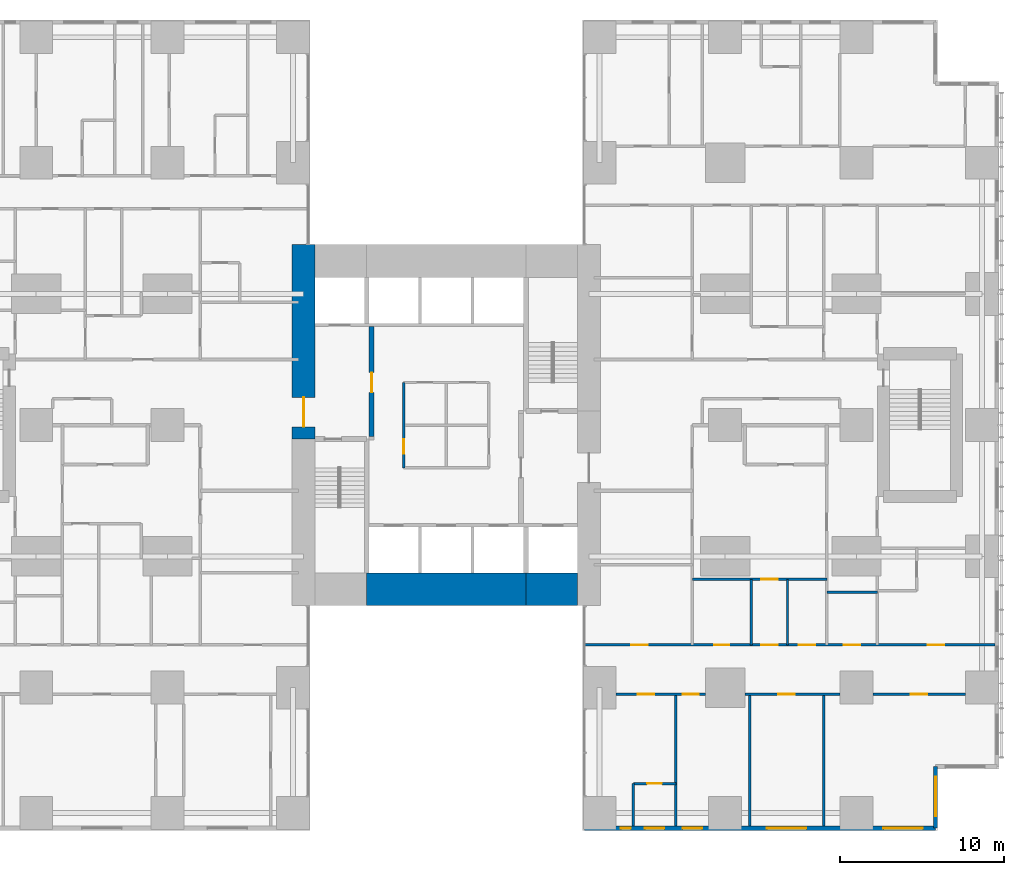
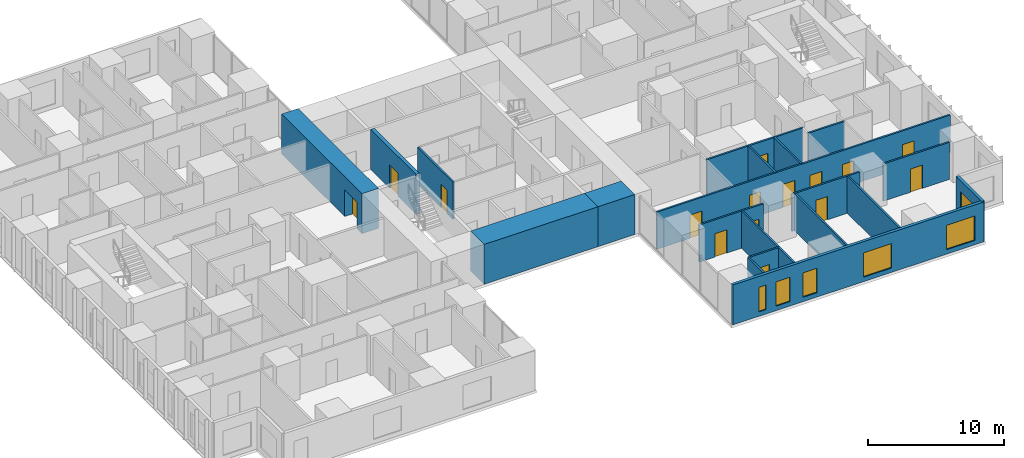
# One storey, part 14 of 20: 20 walls, 15 doors, 6 windows, 21 openings.
"""IFC4 building model written with IfcOpenShell, lengths in metres."""

from ifc_helpers import new_model, si_unit, direction, frame, frame_2d, origin, place, context, subcontext, project, spatial, rectangle, extrude, material, layer, layer_set, type_object, element, fill, save


model = new_model("IFC4")

# Units and contexts
model_context = context("Model", 3, precision=1e-05, world=origin(), true_north=direction((0.0, 1.0)))
body_context = subcontext(model_context, "Body", "Model", "MODEL_VIEW")
ifc_project = project(units=[si_unit("LENGTHUNIT", "METRE"), si_unit("AREAUNIT", "SQUARE_METRE"), si_unit("VOLUMEUNIT", "CUBIC_METRE"), si_unit("PLANEANGLEUNIT", "RADIAN"), si_unit("MASSUNIT", "GRAM", prefix="KILO")], contexts=[model_context])

# Site, building, storey
site_placement = place(None, origin())
site = spatial("IfcSite", under=ifc_project, at=site_placement, CompositionType="ELEMENT")
building_placement = place(site_placement, origin())
building = spatial("IfcBuilding", under=site, at=building_placement, Name="Cleftline Residences", CompositionType="ELEMENT")
storey_placement = place(building_placement, frame((0.0, 0.0, 110.60009765625)))
storey = spatial("IfcBuildingStorey", under=building, at=storey_placement, Name="L28", CompositionType="ELEMENT", Elevation=110.60009765625)

# Wall, opening, door
ifc_material_1 = material(Name="Concrete B70", Category="concrete")
ifc_layer_1 = layer(ifc_material_1, 1.39990234375)
ifc_layer_set_1 = layer_set([ifc_layer_1], Name="CORE WALL 1400")
wall_type_1 = type_object("IfcWallType", Name="CORE WALL 1400", PredefinedType="SHEAR", material=ifc_layer_set_1)
wall_1_placement = place(storey_placement, frame((24.300048828125, 23.14990234375, 0.0), z_axis=(0.0, 0.0, 1.0), x_axis=(0.0, 1.0, 0.0)))
wall_1 = element("IfcWall", 1, at=wall_1_placement, inside=storey, type_object=wall_type_1, Name="Core wall W", PredefinedType="SHEAR", context=body_context, shape_type="SweptSolid", body=[
    extrude(rectangle(XDim=11.85009765625, YDim=1.39990234375, at=frame_2d((5.925048828125, 0.0))), origin(), (0.0, 0.0, 1.0), 3.599853515625),
])
opening_1_placement = place(wall_1_placement, frame((0.75, 0.0, 0.0)))
opening_1 = element("IfcOpeningElement", 2, at=opening_1_placement, cuts=wall_1, Name="Opening D7", PredefinedType="OPENING", context=body_context, shape_type="SweptSolid", body=[
    extrude(rectangle(XDim=1.800048828125, YDim=2.39990234375, at=frame_2d((0.89990234375, 1.199951171875))), frame((0.0, 0.7099609375, 0.0), z_axis=(0.0, -1.0, 0.0), x_axis=(1.0, 0.0, 0.0)), (0.0, 0.0, 1.0), 1.419921875),
])
ifc_material_2 = material(Name="Steel", Category="steel")
door_type_1 = type_object("IfcDoorType", Name="WING DOOR 1800X2400", OperationType="DOUBLE_DOOR_DOUBLE_SWING", PredefinedType="DOOR", material=ifc_material_2)
door_1_placement = place(opening_1_placement, origin())
door_1 = element("IfcDoor", 3, at=door_1_placement, inside=storey, type_object=door_type_1, Name="West wing door", OperationType="DOUBLE_DOOR_DOUBLE_SWING", OverallHeight=2.39990234375, OverallWidth=1.800048828125, PredefinedType="DOOR", context=body_context, shape_type="SweptSolid", body=[
    extrude(rectangle(XDim=1.800048828125, YDim=2.39990234375, at=frame_2d((0.89990234375, 1.199951171875))), frame((0.0, 0.02490234375, 0.0), z_axis=(0.0, -1.0, 0.0), x_axis=(1.0, 0.0, 0.0)), (0.0, 0.0, 1.0), 0.050048828125),
])
fill(opening_1, door_1)

# Walls
ifc_material_3 = material(Name="Concrete B70", Category="concrete")
ifc_layer_2 = layer(ifc_material_3, 2.0)
ifc_layer_set_2 = layer_set([ifc_layer_2], Name="CORE WALL 2000")
wall_type_2 = type_object("IfcWallType", Name="CORE WALL 2000", PredefinedType="SHEAR", material=ifc_layer_set_2)
wall_2_placement = place(storey_placement, frame((28.14990234375, 14.0, 0.0), z_axis=(0.0, 0.0, 1.0), x_axis=(1.0, 0.0, 0.0)))
element("IfcWall", 4, at=wall_2_placement, inside=storey, type_object=wall_type_2, Name="Core wall S2", PredefinedType="SHEAR", context=body_context, shape_type="SweptSolid", body=[
    extrude(rectangle(XDim=9.7001953125, YDim=2.0, at=frame_2d((4.85009765625, 0.0))), origin(), (0.0, 0.0, 1.0), 3.599853515625),
])
wall_3_placement = place(storey_placement, frame((37.85009765625, 14.0, 0.0), z_axis=(0.0, 0.0, 1.0), x_axis=(1.0, 0.0, 0.0)))
element("IfcWall", 5, at=wall_3_placement, inside=storey, type_object=wall_type_2, Name="Core wall S3", PredefinedType="SHEAR", context=body_context, shape_type="SweptSolid", body=[
    extrude(rectangle(XDim=3.14990234375, YDim=2.0, at=frame_2d((1.574951171875, 0.0))), origin(), (0.0, 0.0, 1.0), 3.599853515625),
])

# Wall, openings, windows
ifc_material_4 = material(Name="Rendered reinforced concrete blockwork", Category="masonry")
ifc_layer_3 = layer(ifc_material_4, 0.25)
ifc_layer_set_3 = layer_set([ifc_layer_3], Name="EXTERNAL WALL 250")
wall_type_3 = type_object("IfcWallType", Name="EXTERNAL WALL 250", PredefinedType="SOLIDWALL", material=ifc_layer_set_3)
wall_4_placement = place(storey_placement, frame((41.425048828125, -0.574951171875, 0.0), z_axis=(0.0, 0.0, 1.0), x_axis=(1.0, 0.0, 0.0)))
wall_4 = element("IfcWall", 6, at=wall_4_placement, inside=storey, type_object=wall_type_3, Name="External wall", PredefinedType="SOLIDWALL", context=body_context, shape_type="SweptSolid", body=[
    extrude(rectangle(XDim=21.39990234375, YDim=0.25, at=frame_2d((10.699951171875, 0.0))), origin(), (0.0, 0.0, 1.0), 3.599853515625),
])
opening_2_placement = place(wall_4_placement, frame((2.22509765625, 0.0, 0.39990234375)))
opening_2 = element("IfcOpeningElement", 7, at=opening_2_placement, cuts=wall_4, Name="Opening W10", PredefinedType="OPENING", context=body_context, shape_type="SweptSolid", body=[
    extrude(rectangle(XDim=0.60009765625, YDim=2.199951171875, at=frame_2d((0.300048828125, 1.10009765625))), frame((0.0, 0.135009765625, 0.0), z_axis=(0.0, -1.0, 0.0), x_axis=(1.0, 0.0, 0.0)), (0.0, 0.0, 1.0), 0.27001953125),
])
opening_3_placement = place(wall_4_placement, frame((3.675048828125, 0.0, 0.39990234375)))
opening_3 = element("IfcOpeningElement", 8, at=opening_3_placement, cuts=wall_4, Name="Opening W11", PredefinedType="OPENING", context=body_context, shape_type="SweptSolid", body=[
    extrude(rectangle(XDim=1.199951171875, YDim=2.199951171875, at=frame_2d((0.60009765625, 1.10009765625))), frame((0.0, 0.135009765625, 0.0), z_axis=(0.0, -1.0, 0.0), x_axis=(1.0, 0.0, 0.0)), (0.0, 0.0, 1.0), 0.27001953125),
])
opening_4_placement = place(wall_4_placement, frame((5.97509765625, 0.0, 0.39990234375)))
opening_4 = element("IfcOpeningElement", 9, at=opening_4_placement, cuts=wall_4, Name="Opening W11", PredefinedType="OPENING", context=body_context, shape_type="SweptSolid", body=[
    extrude(rectangle(XDim=1.199951171875, YDim=2.199951171875, at=frame_2d((0.60009765625, 1.10009765625))), frame((0.0, 0.135009765625, 0.0), z_axis=(0.0, -1.0, 0.0), x_axis=(1.0, 0.0, 0.0)), (0.0, 0.0, 1.0), 0.27001953125),
])
opening_5_placement = place(wall_4_placement, frame((11.125, 0.0, 0.39990234375)))
opening_5 = element("IfcOpeningElement", 10, at=opening_5_placement, cuts=wall_4, Name="Opening W12", PredefinedType="OPENING", context=body_context, shape_type="SweptSolid", body=[
    extrude(rectangle(XDim=2.39990234375, YDim=2.199951171875, at=frame_2d((1.199951171875, 1.10009765625))), frame((0.0, 0.135009765625, 0.0), z_axis=(0.0, -1.0, 0.0), x_axis=(1.0, 0.0, 0.0)), (0.0, 0.0, 1.0), 0.27001953125),
])
opening_6_placement = place(wall_4_placement, frame((18.22509765625, 0.0, 0.39990234375)))
opening_6 = element("IfcOpeningElement", 11, at=opening_6_placement, cuts=wall_4, Name="Opening W12", PredefinedType="OPENING", context=body_context, shape_type="SweptSolid", body=[
    extrude(rectangle(XDim=2.39990234375, YDim=2.199951171875, at=frame_2d((1.199951171875, 1.10009765625))), frame((0.0, 0.135009765625, 0.0), z_axis=(0.0, -1.0, 0.0), x_axis=(1.0, 0.0, 0.0)), (0.0, 0.0, 1.0), 0.27001953125),
])
ifc_material_5 = material(Name="Aluminium frame, clear double glazing", Category="aluminium")
window_type_1 = type_object("IfcWindowType", Name="WINDOW 1200X2200", PartitioningType="DOUBLE_PANEL_VERTICAL", PredefinedType="WINDOW", material=ifc_material_5)
window_1_placement = place(opening_3_placement, origin())
window_1 = element("IfcWindow", 12, at=window_1_placement, inside=storey, type_object=window_type_1, Name="Window", OverallHeight=2.199951171875, OverallWidth=1.199951171875, PartitioningType="SINGLE_PANEL", PredefinedType="WINDOW", context=body_context, shape_type="SweptSolid", body=[
    extrude(rectangle(XDim=1.199951171875, YDim=2.199951171875, at=frame_2d((0.60009765625, 1.10009765625))), frame((0.0, 0.030029296875, 0.0), z_axis=(0.0, -1.0, 0.0), x_axis=(1.0, 0.0, 0.0)), (0.0, 0.0, 1.0), 0.06005859375),
])
fill(opening_3, window_1)
window_2_placement = place(opening_4_placement, origin())
window_2 = element("IfcWindow", 13, at=window_2_placement, inside=storey, type_object=window_type_1, Name="Window", OverallHeight=2.199951171875, OverallWidth=1.199951171875, PartitioningType="SINGLE_PANEL", PredefinedType="WINDOW", context=body_context, shape_type="SweptSolid", body=[
    extrude(rectangle(XDim=1.199951171875, YDim=2.199951171875, at=frame_2d((0.60009765625, 1.10009765625))), frame((0.0, 0.030029296875, 0.0), z_axis=(0.0, -1.0, 0.0), x_axis=(1.0, 0.0, 0.0)), (0.0, 0.0, 1.0), 0.06005859375),
])
fill(opening_4, window_2)
ifc_material_6 = material(Name="Aluminium frame, clear double glazing", Category="aluminium")
window_type_2 = type_object("IfcWindowType", Name="WINDOW 2400X2200", PartitioningType="DOUBLE_PANEL_VERTICAL", PredefinedType="WINDOW", material=ifc_material_6)
window_3_placement = place(opening_5_placement, origin())
window_3 = element("IfcWindow", 14, at=window_3_placement, inside=storey, type_object=window_type_2, Name="Window", OverallHeight=2.199951171875, OverallWidth=2.39990234375, PartitioningType="SINGLE_PANEL", PredefinedType="WINDOW", context=body_context, shape_type="SweptSolid", body=[
    extrude(rectangle(XDim=2.39990234375, YDim=2.199951171875, at=frame_2d((1.199951171875, 1.10009765625))), frame((0.0, 0.030029296875, 0.0), z_axis=(0.0, -1.0, 0.0), x_axis=(1.0, 0.0, 0.0)), (0.0, 0.0, 1.0), 0.06005859375),
])
fill(opening_5, window_3)
window_4_placement = place(opening_6_placement, origin())
window_4 = element("IfcWindow", 15, at=window_4_placement, inside=storey, type_object=window_type_2, Name="Window", OverallHeight=2.199951171875, OverallWidth=2.39990234375, PartitioningType="SINGLE_PANEL", PredefinedType="WINDOW", context=body_context, shape_type="SweptSolid", body=[
    extrude(rectangle(XDim=2.39990234375, YDim=2.199951171875, at=frame_2d((1.199951171875, 1.10009765625))), frame((0.0, 0.030029296875, 0.0), z_axis=(0.0, -1.0, 0.0), x_axis=(1.0, 0.0, 0.0)), (0.0, 0.0, 1.0), 0.06005859375),
])
fill(opening_6, window_4)
ifc_material_7 = material(Name="Aluminium frame, clear double glazing", Category="aluminium")
window_type_3 = type_object("IfcWindowType", Name="WINDOW 600X2200", PartitioningType="DOUBLE_PANEL_VERTICAL", PredefinedType="WINDOW", material=ifc_material_7)
window_5_placement = place(opening_2_placement, origin())
window_5 = element("IfcWindow", 16, at=window_5_placement, inside=storey, type_object=window_type_3, Name="Window", OverallHeight=2.199951171875, OverallWidth=0.60009765625, PartitioningType="SINGLE_PANEL", PredefinedType="WINDOW", context=body_context, shape_type="SweptSolid", body=[
    extrude(rectangle(XDim=0.60009765625, YDim=2.199951171875, at=frame_2d((0.300048828125, 1.10009765625))), frame((0.0, 0.030029296875, 0.0), z_axis=(0.0, -1.0, 0.0), x_axis=(1.0, 0.0, 0.0)), (0.0, 0.0, 1.0), 0.06005859375),
])
fill(opening_2, window_5)

# Wall, opening, window
wall_5_placement = place(storey_placement, frame((62.824951171875, -0.574951171875, 0.0), z_axis=(0.0, 0.0, 1.0), x_axis=(0.0, 1.0, 0.0)))
wall_5 = element("IfcWall", 17, at=wall_5_placement, inside=storey, type_object=wall_type_3, Name="External wall", PredefinedType="SOLIDWALL", context=body_context, shape_type="SweptSolid", body=[
    extrude(rectangle(XDim=3.75, YDim=0.25, at=frame_2d((1.875, 0.0))), origin(), (0.0, 0.0, 1.0), 3.599853515625),
])
opening_7_placement = place(wall_5_placement, frame((0.737548828125, 0.0, 0.39990234375)))
opening_7 = element("IfcOpeningElement", 18, at=opening_7_placement, cuts=wall_5, Name="Opening W12", PredefinedType="OPENING", context=body_context, shape_type="SweptSolid", body=[
    extrude(rectangle(XDim=2.39990234375, YDim=2.199951171875, at=frame_2d((1.199951171875, 1.10009765625))), frame((0.0, 0.135009765625, 0.0), z_axis=(0.0, -1.0, 0.0), x_axis=(1.0, 0.0, 0.0)), (0.0, 0.0, 1.0), 0.27001953125),
])
window_6_placement = place(opening_7_placement, origin())
window_6 = element("IfcWindow", 19, at=window_6_placement, inside=storey, type_object=window_type_2, Name="Window", OverallHeight=2.199951171875, OverallWidth=2.39990234375, PartitioningType="SINGLE_PANEL", PredefinedType="WINDOW", context=body_context, shape_type="SweptSolid", body=[
    extrude(rectangle(XDim=2.39990234375, YDim=2.199951171875, at=frame_2d((1.199951171875, 1.10009765625))), frame((0.0, 0.030029296875, 0.0), z_axis=(0.0, -1.0, 0.0), x_axis=(1.0, 0.0, 0.0)), (0.0, 0.0, 1.0), 0.06005859375),
])
fill(opening_7, window_6)

# Wall, opening, door
ifc_material_8 = material(Name="Gypsum board on steel studs", Category="steel")
ifc_layer_4 = layer(ifc_material_8, 0.14990234375)
ifc_layer_set_4 = layer_set([ifc_layer_4], Name="PARTITION 150")
wall_type_4 = type_object("IfcWallType", Name="PARTITION 150", PredefinedType="PARTITIONING", material=ifc_layer_set_4)
wall_6_placement = place(storey_placement, frame((44.39990234375, 2.14990234375, 0.0), z_axis=(0.0, 0.0, 1.0), x_axis=(1.0, 0.0, 0.0)))
wall_6 = element("IfcWall", 20, at=wall_6_placement, inside=storey, type_object=wall_type_4, Name="Partition", PredefinedType="PARTITIONING", context=body_context, shape_type="SweptSolid", body=[
    extrude(rectangle(XDim=2.60009765625, YDim=0.14990234375, at=frame_2d((1.300048828125, 0.0))), origin(), (0.0, 0.0, 1.0), 3.349853515625),
])
opening_8_placement = place(wall_6_placement, frame((0.85009765625, 0.0, 0.0)))
opening_8 = element("IfcOpeningElement", 21, at=opening_8_placement, cuts=wall_6, Name="Opening D1", PredefinedType="OPENING", context=body_context, shape_type="SweptSolid", body=[
    extrude(rectangle(XDim=0.89990234375, YDim=2.10009765625, at=frame_2d((0.449951171875, 1.050048828125))), frame((0.0, 0.0849609375, 0.0), z_axis=(0.0, -1.0, 0.0), x_axis=(1.0, 0.0, 0.0)), (0.0, 0.0, 1.0), 0.169921875),
])
ifc_material_9 = material(Name="Timber veneer on solid core", Category="wood")
door_type_2 = type_object("IfcDoorType", Name="DOOR 900X2100", OperationType="SINGLE_SWING_LEFT", PredefinedType="DOOR", material=ifc_material_9)
door_2_placement = place(opening_8_placement, origin())
door_2 = element("IfcDoor", 22, at=door_2_placement, inside=storey, type_object=door_type_2, Name="Door to en-suite bathroom 3", OperationType="SINGLE_SWING_LEFT", OverallHeight=2.10009765625, OverallWidth=0.89990234375, PredefinedType="DOOR", context=body_context, shape_type="SweptSolid", body=[
    extrude(rectangle(XDim=0.89990234375, YDim=2.10009765625, at=frame_2d((0.449951171875, 1.050048828125))), frame((0.0, 0.02490234375, 0.0), z_axis=(0.0, -1.0, 0.0), x_axis=(1.0, 0.0, 0.0)), (0.0, 0.0, 1.0), 0.050048828125),
])
fill(opening_8, door_2)

# Wall, openings, doors
wall_7_placement = place(storey_placement, frame((43.35009765625, 7.60009765625, 0.0), z_axis=(0.0, 0.0, 1.0), x_axis=(1.0, 0.0, 0.0)))
wall_7 = element("IfcWall", 23, at=wall_7_placement, inside=storey, type_object=wall_type_4, Name="Partition", PredefinedType="PARTITIONING", context=body_context, shape_type="SweptSolid", body=[
    extrude(rectangle(XDim=5.449951171875, YDim=0.14990234375, at=frame_2d((2.72509765625, 0.0))), origin(), (0.0, 0.0, 1.0), 3.349853515625),
])
opening_9_placement = place(wall_7_placement, frame((4.050048828125, 0.0, 0.0)))
opening_9 = element("IfcOpeningElement", 24, at=opening_9_placement, cuts=wall_7, Name="Opening D2", PredefinedType="OPENING", context=body_context, shape_type="SweptSolid", body=[
    extrude(rectangle(XDim=1.0, YDim=2.10009765625, at=frame_2d((0.5, 1.050048828125))), frame((0.0, 0.0849609375, 0.0), z_axis=(0.0, -1.0, 0.0), x_axis=(1.0, 0.0, 0.0)), (0.0, 0.0, 1.0), 0.169921875),
])
opening_10_placement = place(wall_7_placement, frame((1.324951171875, 0.0, 0.0)))
opening_10 = element("IfcOpeningElement", 25, at=opening_10_placement, cuts=wall_7, Name="Opening D2", PredefinedType="OPENING", context=body_context, shape_type="SweptSolid", body=[
    extrude(rectangle(XDim=1.0, YDim=2.10009765625, at=frame_2d((0.5, 1.050048828125))), frame((0.0, 0.0849609375, 0.0), z_axis=(0.0, -1.0, 0.0), x_axis=(1.0, 0.0, 0.0)), (0.0, 0.0, 1.0), 0.169921875),
])
ifc_material_10 = material(Name="Timber veneer on solid core", Category="wood")
door_type_3 = type_object("IfcDoorType", Name="DOOR 1000X2100", OperationType="SINGLE_SWING_LEFT", PredefinedType="DOOR", material=ifc_material_10)
door_3_placement = place(opening_9_placement, origin())
door_3 = element("IfcDoor", 26, at=door_3_placement, inside=storey, type_object=door_type_3, Name="Door to show kitchen", OperationType="SINGLE_SWING_LEFT", OverallHeight=2.10009765625, OverallWidth=1.0, PredefinedType="DOOR", context=body_context, shape_type="SweptSolid", body=[
    extrude(rectangle(XDim=1.0, YDim=2.10009765625, at=frame_2d((0.5, 1.050048828125))), frame((0.0, 0.02490234375, 0.0), z_axis=(0.0, -1.0, 0.0), x_axis=(1.0, 0.0, 0.0)), (0.0, 0.0, 1.0), 0.050048828125),
])
fill(opening_9, door_3)
door_4_placement = place(opening_10_placement, origin())
door_4 = element("IfcDoor", 27, at=door_4_placement, inside=storey, type_object=door_type_3, Name="Door to bedroom 3", OperationType="SINGLE_SWING_RIGHT", OverallHeight=2.10009765625, OverallWidth=1.0, PredefinedType="DOOR", context=body_context, shape_type="SweptSolid", body=[
    extrude(rectangle(XDim=1.0, YDim=2.10009765625, at=frame_2d((0.5, 1.050048828125))), frame((0.0, 0.02490234375, 0.0), z_axis=(0.0, -1.0, 0.0), x_axis=(1.0, 0.0, 0.0)), (0.0, 0.0, 1.0), 0.050048828125),
])
fill(opening_10, door_4)

# Wall, opening, door
wall_8_placement = place(storey_placement, frame((51.199951171875, 7.60009765625, 0.0), z_axis=(0.0, 0.0, 1.0), x_axis=(1.0, 0.0, 0.0)))
wall_8 = element("IfcWall", 28, at=wall_8_placement, inside=storey, type_object=wall_type_4, Name="Partition", PredefinedType="PARTITIONING", context=body_context, shape_type="SweptSolid", body=[
    extrude(rectangle(XDim=5.800048828125, YDim=0.14990234375, at=frame_2d((2.89990234375, 0.0))), origin(), (0.0, 0.0, 1.0), 3.349853515625),
])
opening_11_placement = place(wall_8_placement, frame((2.050048828125, 0.0, 0.0)))
opening_11 = element("IfcOpeningElement", 29, at=opening_11_placement, cuts=wall_8, Name="Opening D2", PredefinedType="OPENING", context=body_context, shape_type="SweptSolid", body=[
    extrude(rectangle(XDim=1.0, YDim=2.10009765625, at=frame_2d((0.5, 1.050048828125))), frame((0.0, 0.0849609375, 0.0), z_axis=(0.0, -1.0, 0.0), x_axis=(1.0, 0.0, 0.0)), (0.0, 0.0, 1.0), 0.169921875),
])
door_5_placement = place(opening_11_placement, origin())
door_5 = element("IfcDoor", 30, at=door_5_placement, inside=storey, type_object=door_type_3, Name="Door to dining room", OperationType="SINGLE_SWING_RIGHT", OverallHeight=2.10009765625, OverallWidth=1.0, PredefinedType="DOOR", context=body_context, shape_type="SweptSolid", body=[
    extrude(rectangle(XDim=1.0, YDim=2.10009765625, at=frame_2d((0.5, 1.050048828125))), frame((0.0, 0.02490234375, 0.0), z_axis=(0.0, -1.0, 0.0), x_axis=(1.0, 0.0, 0.0)), (0.0, 0.0, 1.0), 0.050048828125),
])
fill(opening_11, door_5)

wall_9_placement = place(storey_placement, frame((59.0, 7.60009765625, 0.0), z_axis=(0.0, 0.0, 1.0), x_axis=(1.0, 0.0, 0.0)))
wall_9 = element("IfcWall", 31, at=wall_9_placement, inside=storey, type_object=wall_type_4, Name="Partition", PredefinedType="PARTITIONING", context=body_context, shape_type="SweptSolid", body=[
    extrude(rectangle(XDim=5.64990234375, YDim=0.14990234375, at=frame_2d((2.824951171875, 0.0))), origin(), (0.0, 0.0, 1.0), 3.349853515625),
])
opening_12_placement = place(wall_9_placement, frame((2.324951171875, 0.0, 0.0)))
opening_12 = element("IfcOpeningElement", 32, at=opening_12_placement, cuts=wall_9, Name="Opening D2", PredefinedType="OPENING", context=body_context, shape_type="SweptSolid", body=[
    extrude(rectangle(XDim=1.0, YDim=2.10009765625, at=frame_2d((0.5, 1.050048828125))), frame((0.0, 0.0849609375, 0.0), z_axis=(0.0, -1.0, 0.0), x_axis=(1.0, 0.0, 0.0)), (0.0, 0.0, 1.0), 0.169921875),
])
door_6_placement = place(opening_12_placement, origin())
door_6 = element("IfcDoor", 33, at=door_6_placement, inside=storey, type_object=door_type_3, Name="Door to sea-view lounge", OperationType="SINGLE_SWING_LEFT", OverallHeight=2.10009765625, OverallWidth=1.0, PredefinedType="DOOR", context=body_context, shape_type="SweptSolid", body=[
    extrude(rectangle(XDim=1.0, YDim=2.10009765625, at=frame_2d((0.5, 1.050048828125))), frame((0.0, 0.02490234375, 0.0), z_axis=(0.0, -1.0, 0.0), x_axis=(1.0, 0.0, 0.0)), (0.0, 0.0, 1.0), 0.050048828125),
])
fill(opening_12, door_6)

# Wall, openings, doors
wall_10_placement = place(storey_placement, frame((41.43896484375, 10.60009765625, 0.0), z_axis=(0.0, 0.0, 1.0), x_axis=(1.0, 0.0, 0.0)))
wall_10 = element("IfcWall", 34, at=wall_10_placement, inside=storey, type_object=wall_type_4, Name="Partition", PredefinedType="PARTITIONING", context=body_context, shape_type="SweptSolid", body=[
    extrude(rectangle(XDim=25.010986328125, YDim=0.14990234375, at=frame_2d((12.50537109375, 0.0))), origin(), (0.0, 0.0, 1.0), 3.349853515625),
])
opening_13_placement = place(wall_10_placement, frame((10.760986328125, 0.0, 0.0)))
opening_13 = element("IfcOpeningElement", 35, at=opening_13_placement, cuts=wall_10, Name="Opening D2", PredefinedType="OPENING", context=body_context, shape_type="SweptSolid", body=[
    extrude(rectangle(XDim=1.0, YDim=2.10009765625, at=frame_2d((0.5, 1.050048828125))), frame((0.0, 0.0849609375, 0.0), z_axis=(0.0, -1.0, 0.0), x_axis=(1.0, 0.0, 0.0)), (0.0, 0.0, 1.0), 0.169921875),
])
opening_14_placement = place(wall_10_placement, frame((20.923583984375, 0.0, 0.0)))
opening_14 = element("IfcOpeningElement", 36, at=opening_14_placement, cuts=wall_10, Name="Opening D2", PredefinedType="OPENING", context=body_context, shape_type="SweptSolid", body=[
    extrude(rectangle(XDim=1.0, YDim=2.10009765625, at=frame_2d((0.5, 1.050048828125))), frame((0.0, 0.0849609375, 0.0), z_axis=(0.0, -1.0, 0.0), x_axis=(1.0, 0.0, 0.0)), (0.0, 0.0, 1.0), 0.169921875),
])
opening_15_placement = place(wall_10_placement, frame((15.798583984375, 0.0, 0.0)))
opening_15 = element("IfcOpeningElement", 37, at=opening_15_placement, cuts=wall_10, Name="Opening D2", PredefinedType="OPENING", context=body_context, shape_type="SweptSolid", body=[
    extrude(rectangle(XDim=1.0, YDim=2.10009765625, at=frame_2d((0.5, 1.050048828125))), frame((0.0, 0.0849609375, 0.0), z_axis=(0.0, -1.0, 0.0), x_axis=(1.0, 0.0, 0.0)), (0.0, 0.0, 1.0), 0.169921875),
])
opening_16_placement = place(wall_10_placement, frame((13.06103515625, 0.0, 0.0)))
opening_16 = element("IfcOpeningElement", 38, at=opening_16_placement, cuts=wall_10, Name="Opening D2", PredefinedType="OPENING", context=body_context, shape_type="SweptSolid", body=[
    extrude(rectangle(XDim=1.0, YDim=2.10009765625, at=frame_2d((0.5, 1.050048828125))), frame((0.0, 0.0849609375, 0.0), z_axis=(0.0, -1.0, 0.0), x_axis=(1.0, 0.0, 0.0)), (0.0, 0.0, 1.0), 0.169921875),
])
opening_17_placement = place(wall_10_placement, frame((7.910888671875, 0.0, 0.0)))
opening_17 = element("IfcOpeningElement", 39, at=opening_17_placement, cuts=wall_10, Name="Opening D1", PredefinedType="OPENING", context=body_context, shape_type="SweptSolid", body=[
    extrude(rectangle(XDim=0.89990234375, YDim=2.10009765625, at=frame_2d((0.449951171875, 1.050048828125))), frame((0.0, 0.0849609375, 0.0), z_axis=(0.0, -1.0, 0.0), x_axis=(1.0, 0.0, 0.0)), (0.0, 0.0, 1.0), 0.169921875),
])
opening_18_placement = place(wall_10_placement, frame((2.8359375, 0.0, 0.0)))
opening_18 = element("IfcOpeningElement", 40, at=opening_18_placement, cuts=wall_10, Name="Opening D2", PredefinedType="OPENING", context=body_context, shape_type="SweptSolid", body=[
    extrude(rectangle(XDim=1.0, YDim=2.10009765625, at=frame_2d((0.5, 1.050048828125))), frame((0.0, 0.0849609375, 0.0), z_axis=(0.0, -1.0, 0.0), x_axis=(1.0, 0.0, 0.0)), (0.0, 0.0, 1.0), 0.169921875),
])
door_7_placement = place(opening_13_placement, origin())
door_7 = element("IfcDoor", 41, at=door_7_placement, inside=storey, type_object=door_type_3, Name="Door to residence hall", OperationType="SINGLE_SWING_RIGHT", OverallHeight=2.10009765625, OverallWidth=1.0, PredefinedType="DOOR", context=body_context, shape_type="SweptSolid", body=[
    extrude(rectangle(XDim=1.0, YDim=2.10009765625, at=frame_2d((0.5, 1.050048828125))), frame((0.0, 0.02490234375, 0.0), z_axis=(0.0, -1.0, 0.0), x_axis=(1.0, 0.0, 0.0)), (0.0, 0.0, 1.0), 0.050048828125),
])
fill(opening_13, door_7)
door_8_placement = place(opening_14_placement, origin())
door_8 = element("IfcDoor", 42, at=door_8_placement, inside=storey, type_object=door_type_3, Name="Door to master bedroom", OperationType="SINGLE_SWING_LEFT", OverallHeight=2.10009765625, OverallWidth=1.0, PredefinedType="DOOR", context=body_context, shape_type="SweptSolid", body=[
    extrude(rectangle(XDim=1.0, YDim=2.10009765625, at=frame_2d((0.5, 1.050048828125))), frame((0.0, 0.02490234375, 0.0), z_axis=(0.0, -1.0, 0.0), x_axis=(1.0, 0.0, 0.0)), (0.0, 0.0, 1.0), 0.050048828125),
])
fill(opening_14, door_8)
door_9_placement = place(opening_15_placement, origin())
door_9 = element("IfcDoor", 43, at=door_9_placement, inside=storey, type_object=door_type_3, Name="Door to wet kitchen", OperationType="SINGLE_SWING_LEFT", OverallHeight=2.10009765625, OverallWidth=1.0, PredefinedType="DOOR", context=body_context, shape_type="SweptSolid", body=[
    extrude(rectangle(XDim=1.0, YDim=2.10009765625, at=frame_2d((0.5, 1.050048828125))), frame((0.0, 0.02490234375, 0.0), z_axis=(0.0, -1.0, 0.0), x_axis=(1.0, 0.0, 0.0)), (0.0, 0.0, 1.0), 0.050048828125),
])
fill(opening_15, door_9)
door_10_placement = place(opening_16_placement, origin())
door_10 = element("IfcDoor", 44, at=door_10_placement, inside=storey, type_object=door_type_3, Name="Door to media room", OperationType="SINGLE_SWING_LEFT", OverallHeight=2.10009765625, OverallWidth=1.0, PredefinedType="DOOR", context=body_context, shape_type="SweptSolid", body=[
    extrude(rectangle(XDim=1.0, YDim=2.10009765625, at=frame_2d((0.5, 1.050048828125))), frame((0.0, 0.02490234375, 0.0), z_axis=(0.0, -1.0, 0.0), x_axis=(1.0, 0.0, 0.0)), (0.0, 0.0, 1.0), 0.050048828125),
])
fill(opening_16, door_10)
door_11_placement = place(opening_18_placement, origin())
door_11 = element("IfcDoor", 45, at=door_11_placement, inside=storey, type_object=door_type_3, Name="Door to study", OperationType="SINGLE_SWING_RIGHT", OverallHeight=2.10009765625, OverallWidth=1.0, PredefinedType="DOOR", context=body_context, shape_type="SweptSolid", body=[
    extrude(rectangle(XDim=1.0, YDim=2.10009765625, at=frame_2d((0.5, 1.050048828125))), frame((0.0, 0.02490234375, 0.0), z_axis=(0.0, -1.0, 0.0), x_axis=(1.0, 0.0, 0.0)), (0.0, 0.0, 1.0), 0.050048828125),
])
fill(opening_18, door_11)
door_12_placement = place(opening_17_placement, origin())
door_12 = element("IfcDoor", 46, at=door_12_placement, inside=storey, type_object=door_type_2, Name="Door to bedroom 2 bathroom", OperationType="SINGLE_SWING_RIGHT", OverallHeight=2.10009765625, OverallWidth=0.89990234375, PredefinedType="DOOR", context=body_context, shape_type="SweptSolid", body=[
    extrude(rectangle(XDim=0.89990234375, YDim=2.10009765625, at=frame_2d((0.449951171875, 1.050048828125))), frame((0.0, 0.02490234375, 0.0), z_axis=(0.0, -1.0, 0.0), x_axis=(1.0, 0.0, 0.0)), (0.0, 0.0, 1.0), 0.050048828125),
])
fill(opening_17, door_12)

# Wall
wall_11_placement = place(storey_placement, frame((56.199951171875, 13.800048828125, 0.0), z_axis=(0.0, 0.0, 1.0), x_axis=(1.0, 0.0, 0.0)))
element("IfcWall", 47, at=wall_11_placement, inside=storey, type_object=wall_type_4, Name="Partition", PredefinedType="PARTITIONING", context=body_context, shape_type="SweptSolid", body=[
    extrude(rectangle(XDim=3.074951171875, YDim=0.14990234375, at=frame_2d((1.53759765625, 0.0))), origin(), (0.0, 0.0, 1.0), 3.349853515625),
])

# Wall, opening, door
wall_12_placement = place(storey_placement, frame((48.0, 14.60009765625, 0.0), z_axis=(0.0, 0.0, 1.0), x_axis=(1.0, 0.0, 0.0)))
wall_12 = element("IfcWall", 48, at=wall_12_placement, inside=storey, type_object=wall_type_4, Name="Partition", PredefinedType="PARTITIONING", context=body_context, shape_type="SweptSolid", body=[
    extrude(rectangle(XDim=8.199951171875, YDim=0.14990234375, at=frame_2d((4.10009765625, 0.0))), origin(), (0.0, 0.0, 1.0), 3.349853515625),
])
opening_19_placement = place(wall_12_placement, frame((4.199951171875, 0.0, 0.0)))
opening_19 = element("IfcOpeningElement", 49, at=opening_19_placement, cuts=wall_12, Name="Opening D2", PredefinedType="OPENING", context=body_context, shape_type="SweptSolid", body=[
    extrude(rectangle(XDim=1.0, YDim=2.10009765625, at=frame_2d((0.5, 1.050048828125))), frame((0.0, 0.0849609375, 0.0), z_axis=(0.0, -1.0, 0.0), x_axis=(1.0, 0.0, 0.0)), (0.0, 0.0, 1.0), 0.169921875),
])
door_13_placement = place(opening_19_placement, origin())
door_13 = element("IfcDoor", 50, at=door_13_placement, inside=storey, type_object=door_type_3, Name="Door to residence passage", OperationType="SINGLE_SWING_LEFT", OverallHeight=2.10009765625, OverallWidth=1.0, PredefinedType="DOOR", context=body_context, shape_type="SweptSolid", body=[
    extrude(rectangle(XDim=1.0, YDim=2.10009765625, at=frame_2d((0.5, 1.050048828125))), frame((0.0, 0.02490234375, 0.0), z_axis=(0.0, -1.0, 0.0), x_axis=(1.0, 0.0, 0.0)), (0.0, 0.0, 1.0), 0.050048828125),
])
fill(opening_19, door_13)

# Walls
wall_13_placement = place(storey_placement, frame((44.39990234375, -0.449951171875, 0.0), z_axis=(0.0, 0.0, 1.0), x_axis=(0.0, 1.0, 0.0)))
element("IfcWall", 51, at=wall_13_placement, inside=storey, type_object=wall_type_4, Name="Partition", PredefinedType="PARTITIONING", context=body_context, shape_type="SweptSolid", body=[
    extrude(rectangle(XDim=2.599853515625, YDim=0.14990234375, at=frame_2d((1.2998046875, 0.0))), origin(), (0.0, 0.0, 1.0), 3.349853515625),
])
for number, where, z_axis, x_axis, name in (
    (52, (47.0, -0.449951171875, 0.0), (0.0, 0.0, 1.0), (0.0, 1.0, 0.0), "Partition"),
    (53, (51.5, -0.449951171875, 0.0), (0.0, 0.0, 1.0), (0.0, 1.0, 0.0), "Partition"),
):
    element("IfcWall", number, at=place(storey_placement, frame(where, z_axis=z_axis, x_axis=x_axis)), inside=storey, type_object=wall_type_4, Name=name, PredefinedType="PARTITIONING", context=body_context, shape_type="SweptSolid", body=[
        extrude(rectangle(XDim=8.050048828125, YDim=0.14990234375, at=frame_2d((4.02490234375, 0.0))), origin(), (0.0, 0.0, 1.0), 3.349853515625),
    ])
for number, where, z_axis, x_axis, name in (
    (54, (51.60009765625, 10.60009765625, 0.0), (0.0, 0.0, 1.0), (0.0, 1.0, 0.0), "Partition"),
    (55, (53.800048828125, 10.60009765625, 0.0), (0.0, 0.0, 1.0), (0.0, 1.0, 0.0), "Partition"),
):
    element("IfcWall", number, at=place(storey_placement, frame(where, z_axis=z_axis, x_axis=x_axis)), inside=storey, type_object=wall_type_4, Name=name, PredefinedType="PARTITIONING", context=body_context, shape_type="SweptSolid", body=[
        extrude(rectangle(XDim=4.0, YDim=0.14990234375, at=frame_2d((2.0, 0.0))), origin(), (0.0, 0.0, 1.0), 3.349853515625),
    ])
wall_14_placement = place(storey_placement, frame((56.0, -0.449951171875, 0.0), z_axis=(0.0, 0.0, 1.0), x_axis=(0.0, 1.0, 0.0)))
element("IfcWall", 56, at=wall_14_placement, inside=storey, type_object=wall_type_4, Name="Partition", PredefinedType="PARTITIONING", context=body_context, shape_type="SweptSolid", body=[
    extrude(rectangle(XDim=8.050048828125, YDim=0.14990234375, at=frame_2d((4.02490234375, 0.0))), origin(), (0.0, 0.0, 1.0), 3.349853515625),
])

# Wall, opening, door
ifc_material_11 = material(Name="Fire-resisting gypsum board on steel studs", Category="steel")
ifc_layer_5 = layer(ifc_material_11, 0.14990234375)
ifc_layer_set_5 = layer_set([ifc_layer_5], Name="PARTITION 150 EI 60")
wall_type_5 = type_object("IfcWallType", Name="PARTITION 150 EI 60", PredefinedType="PARTITIONING", material=ifc_layer_set_5)
wall_15_placement = place(storey_placement, frame((30.39990234375, 21.39990234375, 0.0), z_axis=(0.0, 0.0, 1.0), x_axis=(0.0, 1.0, 0.0)))
wall_15 = element("IfcWall", 57, at=wall_15_placement, inside=storey, type_object=wall_type_5, Name="Core room partition", PredefinedType="PARTITIONING", context=body_context, shape_type="SweptSolid", body=[
    extrude(rectangle(XDim=5.2001953125, YDim=0.14990234375, at=frame_2d((2.60009765625, 0.0))), origin(), (0.0, 0.0, 1.0), 3.349853515625),
])
opening_20_placement = place(wall_15_placement, frame((0.85009765625, 0.0, 0.0)))
opening_20 = element("IfcOpeningElement", 58, at=opening_20_placement, cuts=wall_15, Name="Opening D1F30", PredefinedType="OPENING", context=body_context, shape_type="SweptSolid", body=[
    extrude(rectangle(XDim=0.89990234375, YDim=2.10009765625, at=frame_2d((0.449951171875, 1.050048828125))), frame((0.0, 0.0849609375, 0.0), z_axis=(0.0, -1.0, 0.0), x_axis=(1.0, 0.0, 0.0)), (0.0, 0.0, 1.0), 0.169921875),
])
ifc_material_12 = material(Name="Timber veneer on solid core", Category="wood")
door_type_4 = type_object("IfcDoorType", Name="DOOR 900X2100 EI 30", OperationType="SINGLE_SWING_LEFT", PredefinedType="DOOR", material=ifc_material_12)
door_14_placement = place(opening_20_placement, origin())
door_14 = element("IfcDoor", 59, at=door_14_placement, inside=storey, type_object=door_type_4, Name="Door to housekeeping pantry", OperationType="SINGLE_SWING_RIGHT", OverallHeight=2.10009765625, OverallWidth=0.89990234375, PredefinedType="DOOR", context=body_context, shape_type="SweptSolid", body=[
    extrude(rectangle(XDim=0.89990234375, YDim=2.10009765625, at=frame_2d((0.449951171875, 1.050048828125))), frame((0.0, 0.02490234375, 0.0), z_axis=(0.0, -1.0, 0.0), x_axis=(1.0, 0.0, 0.0)), (0.0, 0.0, 1.0), 0.050048828125),
])
fill(opening_20, door_14)

ifc_material_13 = material(Name="Concrete blockwork, fire rated", Category="masonry")
ifc_layer_6 = layer(ifc_material_13, 0.300048828125)
ifc_layer_set_6 = layer_set([ifc_layer_6], Name="STAIR LOBBY WALL 300")
wall_type_6 = type_object("IfcWallType", Name="STAIR LOBBY WALL 300", PredefinedType="PARTITIONING", material=ifc_layer_set_6)
wall_16_placement = place(storey_placement, frame((28.449951171875, 23.300048828125, 0.0), z_axis=(0.0, 0.0, 1.0), x_axis=(0.0, 1.0, 0.0)))
wall_16 = element("IfcWall", 60, at=wall_16_placement, inside=storey, type_object=wall_type_6, Name="Stair and lobby wall FA-E", PredefinedType="PARTITIONING", context=body_context, shape_type="SweptSolid", body=[
    extrude(rectangle(XDim=6.699951171875, YDim=0.300048828125, at=frame_2d((3.35009765625, 0.0))), origin(), (0.0, 0.0, 1.0), 3.599853515625),
])
opening_21_placement = place(wall_16_placement, frame((2.699951171875, 0.0, 0.0)))
opening_21 = element("IfcOpeningElement", 61, at=opening_21_placement, cuts=wall_16, Name="Opening D6", PredefinedType="OPENING", context=body_context, shape_type="SweptSolid", body=[
    extrude(rectangle(XDim=1.199951171875, YDim=2.10009765625, at=frame_2d((0.60009765625, 1.050048828125))), frame((0.0, 0.159912109375, 0.0), z_axis=(0.0, -1.0, 0.0), x_axis=(1.0, 0.0, 0.0)), (0.0, 0.0, 1.0), 0.320068359375),
])
ifc_material_14 = material(Name="Steel", Category="steel")
door_type_5 = type_object("IfcDoorType", Name="LOBBY DOOR 1200X2100", OperationType="SINGLE_SWING_RIGHT", PredefinedType="DOOR", material=ifc_material_14)
door_15_placement = place(opening_21_placement, origin())
door_15 = element("IfcDoor", 62, at=door_15_placement, inside=storey, type_object=door_type_5, Name="Firefighting lobby A door", OperationType="SINGLE_SWING_RIGHT", OverallHeight=2.10009765625, OverallWidth=1.199951171875, PredefinedType="DOOR", context=body_context, shape_type="SweptSolid", body=[
    extrude(rectangle(XDim=1.199951171875, YDim=2.10009765625, at=frame_2d((0.60009765625, 1.050048828125))), frame((0.0, 0.02490234375, 0.0), z_axis=(0.0, -1.0, 0.0), x_axis=(1.0, 0.0, 0.0)), (0.0, 0.0, 1.0), 0.050048828125),
])
fill(opening_21, door_15)

save(model, "model.ifc")
